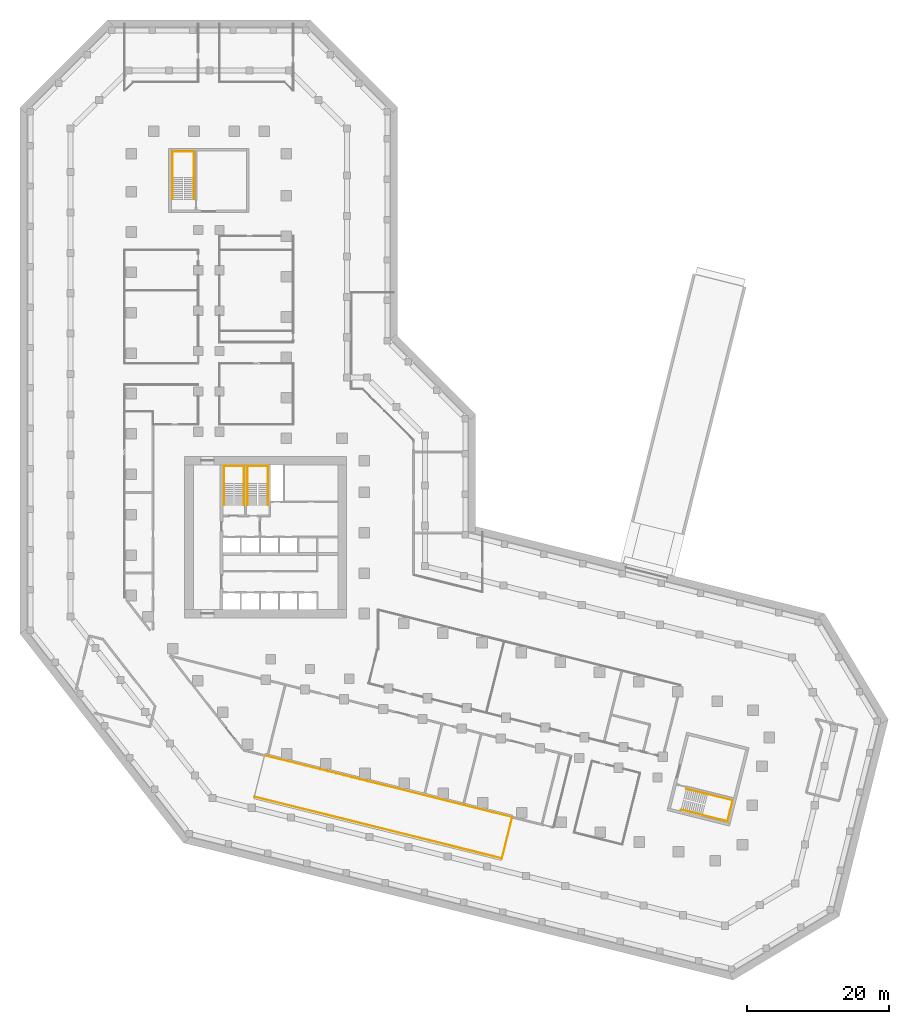
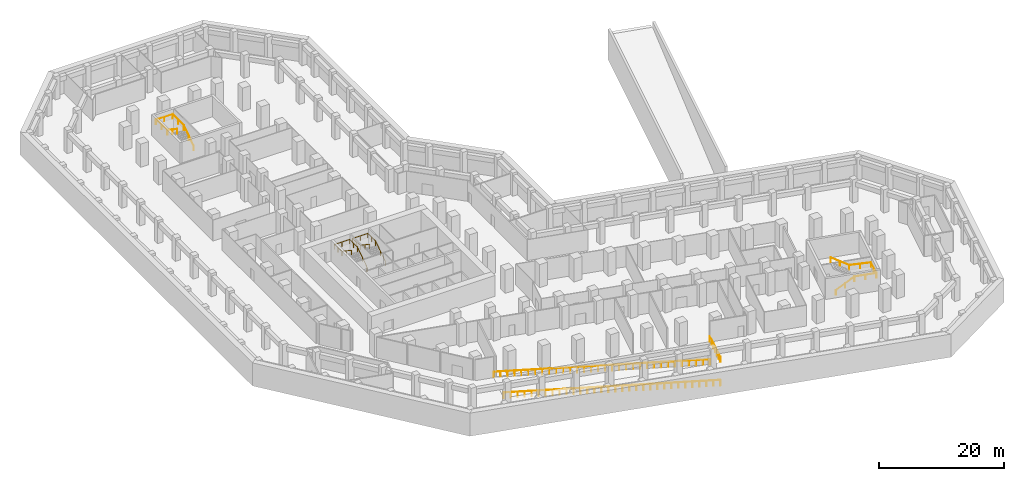
# One storey, part 14 of 14: 7 railings.
"""IFC4 building model written with IfcOpenShell, lengths in metres."""

from ifc_helpers import new_model, si_unit, direction, frame, origin, origin_2d, place, context, subcontext, project, spatial, circle, extrude, material, type_object, element, save


model = new_model("IFC4")

# Units and contexts
model_context = context("Model", 3, precision=1e-05, world=origin(), true_north=direction((0.0, 1.0)))
body_context = subcontext(model_context, "Body", "Model", "MODEL_VIEW")
ifc_project = project(units=[si_unit("LENGTHUNIT", "METRE"), si_unit("AREAUNIT", "SQUARE_METRE"), si_unit("VOLUMEUNIT", "CUBIC_METRE"), si_unit("PLANEANGLEUNIT", "RADIAN"), si_unit("MASSUNIT", "GRAM", prefix="KILO")], contexts=[model_context])

# Site, building, storey
site_placement = place(None, origin())
site = spatial("IfcSite", under=ifc_project, at=site_placement, CompositionType="ELEMENT")
building_placement = place(site_placement, origin())
building = spatial("IfcBuilding", under=site, at=building_placement, Name="Meshkara Civic Tower", CompositionType="ELEMENT")
storey_placement = place(building_placement, frame((0.0, 0.0, -4.5)))
storey = spatial("IfcBuildingStorey", under=building, at=storey_placement, Name="B1", CompositionType="ELEMENT", Elevation=-4.5)

# Railings
ifc_material_1 = material(Name="Steel guard", Category="steel")
railing_type_1 = type_object("IfcRailingType", Name="Ramp guard 1100", PredefinedType="GUARDRAIL", material=ifc_material_1)
railing_1_placement = place(storey_placement, frame((19.284912109375, -5.323974609375, 0.0)))
element("IfcRailing", 1, at=railing_1_placement, inside=storey, type_object=railing_type_1, Name="Ramp guard", PredefinedType="GUARDRAIL", context=body_context, shape_type="SweptSolid", body=[
    extrude(circle(Radius=0.02392578125, at=origin_2d()), frame((0.0, 0.0, 1.076171875), z_axis=(0.962805300404, -0.240045224815, -0.124033235697), x_axis=(0.241913263535, 0.970297878451, 0.0)), (0.0, 0.0, 1.0), 36.280517578125),
    extrude(circle(Radius=0.02099609375, at=origin_2d()), origin(), (0.0, 0.0, 1.0), 1.052001953125),
    extrude(circle(Radius=0.02099609375, at=origin_2d()), frame((1.126708984375, -0.281005859375, -0.145263671875)), (0.0, 0.0, 1.0), 1.052001953125),
    extrude(circle(Radius=0.02099609375, at=origin_2d()), frame((2.253662109375, -0.561767578125, -0.290283203125)), (0.0, 0.0, 1.0), 1.052001953125),
    extrude(circle(Radius=0.02099609375, at=origin_2d()), frame((3.38037109375, -0.8427734375, -0.435546875)), (0.0, 0.0, 1.0), 1.052001953125),
    extrude(circle(Radius=0.02099609375, at=origin_2d()), frame((4.50732421875, -1.123779296875, -0.58056640625)), (0.0, 0.0, 1.0), 1.052001953125),
    extrude(circle(Radius=0.02099609375, at=origin_2d()), frame((5.634033203125, -1.40478515625, -0.725830078125)), (0.0, 0.0, 1.0), 1.052001953125),
    extrude(circle(Radius=0.02099609375, at=origin_2d()), frame((6.760986328125, -1.685546875, -0.870849609375)), (0.0, 0.0, 1.0), 1.052001953125),
    extrude(circle(Radius=0.02099609375, at=origin_2d()), frame((7.8876953125, -1.966552734375, -1.01611328125)), (0.0, 0.0, 1.0), 1.052001953125),
    extrude(circle(Radius=0.02099609375, at=origin_2d()), frame((9.014404296875, -2.24755859375, -1.161376953125)), (0.0, 0.0, 1.0), 1.052001953125),
    extrude(circle(Radius=0.02099609375, at=origin_2d()), frame((10.141357421875, -2.5283203125, -1.306396484375)), (0.0, 0.0, 1.0), 1.052001953125),
    extrude(circle(Radius=0.02099609375, at=origin_2d()), frame((11.26806640625, -2.809326171875, -1.45166015625)), (0.0, 0.0, 1.0), 1.052001953125),
    extrude(circle(Radius=0.02099609375, at=origin_2d()), frame((12.39501953125, -3.09033203125, -1.5966796875)), (0.0, 0.0, 1.0), 1.052001953125),
    extrude(circle(Radius=0.02099609375, at=origin_2d()), frame((13.521728515625, -3.371337890625, -1.741943359375)), (0.0, 0.0, 1.0), 1.052001953125),
    extrude(circle(Radius=0.02099609375, at=origin_2d()), frame((14.6484375, -3.652099609375, -1.88720703125)), (0.0, 0.0, 1.0), 1.052001953125),
    extrude(circle(Radius=0.02099609375, at=origin_2d()), frame((15.775390625, -3.93310546875, -2.0322265625)), (0.0, 0.0, 1.0), 1.052001953125),
    extrude(circle(Radius=0.02099609375, at=origin_2d()), frame((16.902099609375, -4.214111328125, -2.177490234375)), (0.0, 0.0, 1.0), 1.052001953125),
    extrude(circle(Radius=0.02099609375, at=origin_2d()), frame((18.029052734375, -4.494873046875, -2.322509765625)), (0.0, 0.0, 1.0), 1.052001953125),
    extrude(circle(Radius=0.02099609375, at=origin_2d()), frame((19.15576171875, -4.77587890625, -2.4677734375)), (0.0, 0.0, 1.0), 1.052001953125),
    extrude(circle(Radius=0.02099609375, at=origin_2d()), frame((20.28271484375, -5.056884765625, -2.61279296875)), (0.0, 0.0, 1.0), 1.052001953125),
    extrude(circle(Radius=0.02099609375, at=origin_2d()), frame((21.409423828125, -5.337646484375, -2.758056640625)), (0.0, 0.0, 1.0), 1.052001953125),
    extrude(circle(Radius=0.02099609375, at=origin_2d()), frame((22.5361328125, -5.61865234375, -2.9033203125)), (0.0, 0.0, 1.0), 1.052001953125),
    extrude(circle(Radius=0.02099609375, at=origin_2d()), frame((23.6630859375, -5.899658203125, -3.04833984375)), (0.0, 0.0, 1.0), 1.052001953125),
    extrude(circle(Radius=0.02099609375, at=origin_2d()), frame((24.789794921875, -6.1806640625, -3.193603515625)), (0.0, 0.0, 1.0), 1.052001953125),
    extrude(circle(Radius=0.02099609375, at=origin_2d()), frame((25.916748046875, -6.46142578125, -3.338623046875)), (0.0, 0.0, 1.0), 1.052001953125),
    extrude(circle(Radius=0.02099609375, at=origin_2d()), frame((27.04345703125, -6.742431640625, -3.48388671875)), (0.0, 0.0, 1.0), 1.052001953125),
    extrude(circle(Radius=0.02099609375, at=origin_2d()), frame((28.170166015625, -7.0234375, -3.629150390625)), (0.0, 0.0, 1.0), 1.052001953125),
    extrude(circle(Radius=0.02099609375, at=origin_2d()), frame((29.297119140625, -7.30419921875, -3.774169921875)), (0.0, 0.0, 1.0), 1.052001953125),
    extrude(circle(Radius=0.02099609375, at=origin_2d()), frame((30.423828125, -7.585205078125, -3.91943359375)), (0.0, 0.0, 1.0), 1.052001953125),
    extrude(circle(Radius=0.02099609375, at=origin_2d()), frame((31.55078125, -7.8662109375, -4.064453125)), (0.0, 0.0, 1.0), 1.052001953125),
    extrude(circle(Radius=0.02099609375, at=origin_2d()), frame((32.677490234375, -8.147216796875, -4.209716796875)), (0.0, 0.0, 1.0), 1.052001953125),
    extrude(circle(Radius=0.02099609375, at=origin_2d()), frame((33.804443359375, -8.427978515625, -4.354736328125)), (0.0, 0.0, 1.0), 1.052001953125),
    extrude(circle(Radius=0.02099609375, at=origin_2d()), frame((34.93115234375, -8.708984375, -4.5)), (0.0, 0.0, 1.0), 1.052001953125),
])
railing_2_placement = place(storey_placement, frame((17.8330078125, -11.14501953125, 0.0)))
element("IfcRailing", 2, at=railing_2_placement, inside=storey, type_object=railing_type_1, Name="Ramp guard", PredefinedType="GUARDRAIL", context=body_context, shape_type="SweptSolid", body=[
    extrude(circle(Radius=0.02392578125, at=origin_2d()), frame((0.0, 0.0, 1.076171875), z_axis=(0.962798587803, -0.240072145897, -0.12403323784), x_axis=(0.241940394183, 0.970291113874, 0.0)), (0.0, 0.0, 1.0), 36.280517578125),
    extrude(circle(Radius=0.02099609375, at=origin_2d()), origin(), (0.0, 0.0, 1.0), 1.052001953125),
    extrude(circle(Radius=0.02099609375, at=origin_2d()), frame((1.126708984375, -0.281005859375, -0.145263671875)), (0.0, 0.0, 1.0), 1.052001953125),
    extrude(circle(Radius=0.02099609375, at=origin_2d()), frame((2.253662109375, -0.56201171875, -0.290283203125)), (0.0, 0.0, 1.0), 1.052001953125),
    extrude(circle(Radius=0.02099609375, at=origin_2d()), frame((3.38037109375, -0.843017578125, -0.435546875)), (0.0, 0.0, 1.0), 1.052001953125),
    extrude(circle(Radius=0.02099609375, at=origin_2d()), frame((4.50732421875, -1.123779296875, -0.58056640625)), (0.0, 0.0, 1.0), 1.052001953125),
    extrude(circle(Radius=0.02099609375, at=origin_2d()), frame((5.634033203125, -1.40478515625, -0.725830078125)), (0.0, 0.0, 1.0), 1.052001953125),
    extrude(circle(Radius=0.02099609375, at=origin_2d()), frame((6.7607421875, -1.685791015625, -0.870849609375)), (0.0, 0.0, 1.0), 1.052001953125),
    extrude(circle(Radius=0.02099609375, at=origin_2d()), frame((7.8876953125, -1.966796875, -1.01611328125)), (0.0, 0.0, 1.0), 1.052001953125),
    extrude(circle(Radius=0.02099609375, at=origin_2d()), frame((9.014404296875, -2.247802734375, -1.161376953125)), (0.0, 0.0, 1.0), 1.052001953125),
    extrude(circle(Radius=0.02099609375, at=origin_2d()), frame((10.14111328125, -2.52880859375, -1.306396484375)), (0.0, 0.0, 1.0), 1.052001953125),
    extrude(circle(Radius=0.02099609375, at=origin_2d()), frame((11.26806640625, -2.8095703125, -1.45166015625)), (0.0, 0.0, 1.0), 1.052001953125),
    extrude(circle(Radius=0.02099609375, at=origin_2d()), frame((12.394775390625, -3.090576171875, -1.5966796875)), (0.0, 0.0, 1.0), 1.052001953125),
    extrude(circle(Radius=0.02099609375, at=origin_2d()), frame((13.521728515625, -3.37158203125, -1.741943359375)), (0.0, 0.0, 1.0), 1.052001953125),
    extrude(circle(Radius=0.02099609375, at=origin_2d()), frame((14.6484375, -3.652587890625, -1.88720703125)), (0.0, 0.0, 1.0), 1.052001953125),
    extrude(circle(Radius=0.02099609375, at=origin_2d()), frame((15.775146484375, -3.93359375, -2.0322265625)), (0.0, 0.0, 1.0), 1.052001953125),
    extrude(circle(Radius=0.02099609375, at=origin_2d()), frame((16.902099609375, -4.214599609375, -2.177490234375)), (0.0, 0.0, 1.0), 1.052001953125),
    extrude(circle(Radius=0.02099609375, at=origin_2d()), frame((18.02880859375, -4.495361328125, -2.322509765625)), (0.0, 0.0, 1.0), 1.052001953125),
    extrude(circle(Radius=0.02099609375, at=origin_2d()), frame((19.15576171875, -4.7763671875, -2.4677734375)), (0.0, 0.0, 1.0), 1.052001953125),
    extrude(circle(Radius=0.02099609375, at=origin_2d()), frame((20.282470703125, -5.057373046875, -2.61279296875)), (0.0, 0.0, 1.0), 1.052001953125),
    extrude(circle(Radius=0.02099609375, at=origin_2d()), frame((21.4091796875, -5.33837890625, -2.758056640625)), (0.0, 0.0, 1.0), 1.052001953125),
    extrude(circle(Radius=0.02099609375, at=origin_2d()), frame((22.5361328125, -5.619384765625, -2.9033203125)), (0.0, 0.0, 1.0), 1.052001953125),
    extrude(circle(Radius=0.02099609375, at=origin_2d()), frame((23.662841796875, -5.900390625, -3.04833984375)), (0.0, 0.0, 1.0), 1.052001953125),
    extrude(circle(Radius=0.02099609375, at=origin_2d()), frame((24.789794921875, -6.18115234375, -3.193603515625)), (0.0, 0.0, 1.0), 1.052001953125),
    extrude(circle(Radius=0.02099609375, at=origin_2d()), frame((25.91650390625, -6.462158203125, -3.338623046875)), (0.0, 0.0, 1.0), 1.052001953125),
    extrude(circle(Radius=0.02099609375, at=origin_2d()), frame((27.043212890625, -6.7431640625, -3.48388671875)), (0.0, 0.0, 1.0), 1.052001953125),
    extrude(circle(Radius=0.02099609375, at=origin_2d()), frame((28.170166015625, -7.024169921875, -3.629150390625)), (0.0, 0.0, 1.0), 1.052001953125),
    extrude(circle(Radius=0.02099609375, at=origin_2d()), frame((29.296875, -7.30517578125, -3.774169921875)), (0.0, 0.0, 1.0), 1.052001953125),
    extrude(circle(Radius=0.02099609375, at=origin_2d()), frame((30.423583984375, -7.586181640625, -3.91943359375)), (0.0, 0.0, 1.0), 1.052001953125),
    extrude(circle(Radius=0.02099609375, at=origin_2d()), frame((31.550537109375, -7.866943359375, -4.064453125)), (0.0, 0.0, 1.0), 1.052001953125),
    extrude(circle(Radius=0.02099609375, at=origin_2d()), frame((32.67724609375, -8.14794921875, -4.209716796875)), (0.0, 0.0, 1.0), 1.052001953125),
    extrude(circle(Radius=0.02099609375, at=origin_2d()), frame((33.80419921875, -8.428955078125, -4.354736328125)), (0.0, 0.0, 1.0), 1.052001953125),
    extrude(circle(Radius=0.02099609375, at=origin_2d()), frame((34.930908203125, -8.7099609375, -4.5)), (0.0, 0.0, 1.0), 1.052001953125),
])
railing_3_placement = place(storey_placement, frame((54.216064453125, -14.032958984375, 0.0)))
element("IfcRailing", 3, at=railing_3_placement, inside=storey, type_object=railing_type_1, Name="Ramp end guard", PredefinedType="GUARDRAIL", context=body_context, shape_type="SweptSolid", body=[
    extrude(circle(Radius=0.02392578125, at=origin_2d()), frame((0.0, 0.0, 1.076171875), z_axis=(-0.242009045641, -0.970273993173, 0.0), x_axis=(0.970273993173, -0.242009045641, 0.0)), (0.0, 0.0, 1.0), 6.00048828125),
    extrude(circle(Radius=0.02099609375, at=origin_2d()), origin(), (0.0, 0.0, 1.0), 1.052001953125),
    extrude(circle(Radius=0.02099609375, at=origin_2d()), frame((-0.241943359375, -0.97021484375, 0.0)), (0.0, 0.0, 1.0), 1.052001953125),
    extrude(circle(Radius=0.02099609375, at=origin_2d()), frame((-0.484130859375, -1.940673828125, 0.0)), (0.0, 0.0, 1.0), 1.052001953125),
    extrude(circle(Radius=0.02099609375, at=origin_2d()), frame((-0.72607421875, -2.9111328125, 0.0)), (0.0, 0.0, 1.0), 1.052001953125),
    extrude(circle(Radius=0.02099609375, at=origin_2d()), frame((-0.968017578125, -3.88134765625, 0.0)), (0.0, 0.0, 1.0), 1.052001953125),
    extrude(circle(Radius=0.02099609375, at=origin_2d()), frame((-1.210205078125, -4.8515625, 0.0)), (0.0, 0.0, 1.0), 1.052001953125),
    extrude(circle(Radius=0.02099609375, at=origin_2d()), frame((-1.4521484375, -5.822021484375, 0.0)), (0.0, 0.0, 1.0), 1.052001953125),
])
ifc_material_2 = material(Name="Steel handrail", Category="steel")
railing_type_2 = type_object("IfcRailingType", Name="Stair handrail 900", PredefinedType="HANDRAIL", material=ifc_material_2)
railing_4_placement = place(storey_placement, frame((16.375, 30.0, 0.1875)))
element("IfcRailing", 4, at=railing_4_placement, inside=storey, type_object=railing_type_2, Name="B1 ST1 stair handrail 1", PredefinedType="HANDRAIL", context=body_context, shape_type="SweptSolid", body=[
    extrude(circle(Radius=0.02392578125, at=origin_2d()), frame((0.0, 0.0, 0.8759765625), z_axis=(0.0, 0.830913701846, 0.55640131208), x_axis=(-1.0, 0.0, 0.0)), (0.0, 0.0, 1.0), 3.706787109375),
    extrude(circle(Radius=0.02392578125, at=origin_2d()), frame((0.0, 3.080078125, 2.9384765625), z_axis=(0.0, 1.0, 0.0), x_axis=(-1.0, 0.0, 0.0)), (0.0, 0.0, 1.0), 2.469970703125),
    extrude(circle(Radius=0.02392578125, at=origin_2d()), frame((0.0, 5.550048828125, 2.9384765625), z_axis=(-1.0, 0.0, 0.0), x_axis=(0.0, -1.0, 0.0)), (0.0, 0.0, 1.0), 2.85009765625),
    extrude(circle(Radius=0.02392578125, at=origin_2d()), frame((-2.85009765625, 5.550048828125, 2.9384765625), z_axis=(0.0, -0.997131090274, 0.075694047379), x_axis=(1.0, 0.0, 0.0)), (0.0, 0.0, 1.0), 2.47705078125),
    extrude(circle(Radius=0.02392578125, at=origin_2d()), frame((-2.85009765625, 3.080078125, 3.1259765625), z_axis=(0.0, -0.830913701846, 0.55640131208), x_axis=(1.0, 0.0, 0.0)), (0.0, 0.0, 1.0), 3.706787109375),
    extrude(circle(Radius=0.02099609375, at=origin_2d()), origin(), (0.0, 0.0, 1.0), 0.851806640625),
    extrude(circle(Radius=0.02099609375, at=origin_2d()), frame((0.0, 1.5400390625, 1.03125)), (0.0, 0.0, 1.0), 0.851806640625),
    extrude(circle(Radius=0.02099609375, at=origin_2d()), frame((0.0, 3.080078125, 2.0625)), (0.0, 0.0, 1.0), 0.851806640625),
    extrude(circle(Radius=0.02099609375, at=origin_2d()), frame((0.0, 4.31494140625, 2.0625)), (0.0, 0.0, 1.0), 0.851806640625),
    extrude(circle(Radius=0.02099609375, at=origin_2d()), frame((0.0, 5.550048828125, 2.0625)), (0.0, 0.0, 1.0), 0.851806640625),
    extrude(circle(Radius=0.02099609375, at=origin_2d()), frame((-1.425048828125, 5.550048828125, 2.0625)), (0.0, 0.0, 1.0), 0.851806640625),
    extrude(circle(Radius=0.02099609375, at=origin_2d()), frame((-2.85009765625, 5.550048828125, 2.0625)), (0.0, 0.0, 1.0), 0.851806640625),
    extrude(circle(Radius=0.02099609375, at=origin_2d()), frame((-2.85009765625, 4.31494140625, 2.15625)), (0.0, 0.0, 1.0), 0.851806640625),
    extrude(circle(Radius=0.02099609375, at=origin_2d()), frame((-2.85009765625, 3.080078125, 2.25)), (0.0, 0.0, 1.0), 0.851806640625),
    extrude(circle(Radius=0.02099609375, at=origin_2d()), frame((-2.85009765625, 1.5400390625, 3.28125)), (0.0, 0.0, 1.0), 0.851806640625),
    extrude(circle(Radius=0.02099609375, at=origin_2d()), frame((-2.85009765625, 0.0, 4.3125)), (0.0, 0.0, 1.0), 0.851806640625),
])
railing_5_placement = place(storey_placement, frame((19.72509765625, 30.0, 0.1875)))
element("IfcRailing", 5, at=railing_5_placement, inside=storey, type_object=railing_type_2, Name="B1 ST2 stair handrail 1", PredefinedType="HANDRAIL", context=body_context, shape_type="SweptSolid", body=[
    extrude(circle(Radius=0.02392578125, at=origin_2d()), frame((0.0, 0.0, 0.8759765625), z_axis=(0.0, 0.830913701846, 0.55640131208), x_axis=(-1.0, 0.0, 0.0)), (0.0, 0.0, 1.0), 3.706787109375),
    extrude(circle(Radius=0.02392578125, at=origin_2d()), frame((0.0, 3.080078125, 2.9384765625), z_axis=(0.0, 1.0, 0.0), x_axis=(-1.0, 0.0, 0.0)), (0.0, 0.0, 1.0), 2.469970703125),
    extrude(circle(Radius=0.02392578125, at=origin_2d()), frame((0.0, 5.550048828125, 2.9384765625), z_axis=(-1.0, 0.0, 0.0), x_axis=(0.0, -1.0, 0.0)), (0.0, 0.0, 1.0), 2.85009765625),
    extrude(circle(Radius=0.02392578125, at=origin_2d()), frame((-2.85009765625, 5.550048828125, 2.9384765625), z_axis=(0.0, -0.997131090274, 0.075694047379), x_axis=(1.0, 0.0, 0.0)), (0.0, 0.0, 1.0), 2.47705078125),
    extrude(circle(Radius=0.02392578125, at=origin_2d()), frame((-2.85009765625, 3.080078125, 3.1259765625), z_axis=(0.0, -0.830913701846, 0.55640131208), x_axis=(1.0, 0.0, 0.0)), (0.0, 0.0, 1.0), 3.706787109375),
    extrude(circle(Radius=0.02099609375, at=origin_2d()), origin(), (0.0, 0.0, 1.0), 0.851806640625),
    extrude(circle(Radius=0.02099609375, at=origin_2d()), frame((0.0, 1.5400390625, 1.03125)), (0.0, 0.0, 1.0), 0.851806640625),
    extrude(circle(Radius=0.02099609375, at=origin_2d()), frame((0.0, 3.080078125, 2.0625)), (0.0, 0.0, 1.0), 0.851806640625),
    extrude(circle(Radius=0.02099609375, at=origin_2d()), frame((0.0, 4.31494140625, 2.0625)), (0.0, 0.0, 1.0), 0.851806640625),
    extrude(circle(Radius=0.02099609375, at=origin_2d()), frame((0.0, 5.550048828125, 2.0625)), (0.0, 0.0, 1.0), 0.851806640625),
    extrude(circle(Radius=0.02099609375, at=origin_2d()), frame((-1.425048828125, 5.550048828125, 2.0625)), (0.0, 0.0, 1.0), 0.851806640625),
    extrude(circle(Radius=0.02099609375, at=origin_2d()), frame((-2.85009765625, 5.550048828125, 2.0625)), (0.0, 0.0, 1.0), 0.851806640625),
    extrude(circle(Radius=0.02099609375, at=origin_2d()), frame((-2.85009765625, 4.31494140625, 2.15625)), (0.0, 0.0, 1.0), 0.851806640625),
    extrude(circle(Radius=0.02099609375, at=origin_2d()), frame((-2.85009765625, 3.080078125, 2.25)), (0.0, 0.0, 1.0), 0.851806640625),
    extrude(circle(Radius=0.02099609375, at=origin_2d()), frame((-2.85009765625, 1.5400390625, 3.28125)), (0.0, 0.0, 1.0), 0.851806640625),
    extrude(circle(Radius=0.02099609375, at=origin_2d()), frame((-2.85009765625, 0.0, 4.3125)), (0.0, 0.0, 1.0), 0.851806640625),
])
railing_6_placement = place(storey_placement, frame((9.324951171875, 73.169921875, 0.1875)))
element("IfcRailing", 6, at=railing_6_placement, inside=storey, type_object=railing_type_2, Name="B1 ESA1 stair handrail 1", PredefinedType="HANDRAIL", context=body_context, shape_type="SweptSolid", body=[
    extrude(circle(Radius=0.02392578125, at=origin_2d()), frame((0.0, 0.0, 0.8759765625), z_axis=(0.0, 0.830913701846, 0.55640131208), x_axis=(-1.0, 0.0, 0.0)), (0.0, 0.0, 1.0), 3.706787109375),
    extrude(circle(Radius=0.02392578125, at=origin_2d()), frame((0.0, 3.080078125, 2.9384765625), z_axis=(0.0, 1.0, 0.0), x_axis=(-1.0, 0.0, 0.0)), (0.0, 0.0, 1.0), 3.669921875),
    extrude(circle(Radius=0.02392578125, at=origin_2d()), frame((0.0, 6.75, 2.9384765625), z_axis=(-1.0, 0.0, 0.0), x_axis=(0.0, -1.0, 0.0)), (0.0, 0.0, 1.0), 3.050048828125),
    extrude(circle(Radius=0.02392578125, at=origin_2d()), frame((-3.050048828125, 6.75, 2.9384765625), z_axis=(0.0, -0.998697404122, 0.051024454921), x_axis=(1.0, 0.0, 0.0)), (0.0, 0.0, 1.0), 3.6748046875),
    extrude(circle(Radius=0.02392578125, at=origin_2d()), frame((-3.050048828125, 3.080078125, 3.1259765625), z_axis=(0.0, -0.830913701846, 0.55640131208), x_axis=(1.0, 0.0, 0.0)), (0.0, 0.0, 1.0), 3.706787109375),
    extrude(circle(Radius=0.02099609375, at=origin_2d()), origin(), (0.0, 0.0, 1.0), 0.851806640625),
    extrude(circle(Radius=0.02099609375, at=origin_2d()), frame((0.0, 1.5400390625, 1.03125)), (0.0, 0.0, 1.0), 0.851806640625),
    extrude(circle(Radius=0.02099609375, at=origin_2d()), frame((0.0, 3.080078125, 2.0625)), (0.0, 0.0, 1.0), 0.851806640625),
    extrude(circle(Radius=0.02099609375, at=origin_2d()), frame((0.0, 4.9150390625, 2.0625)), (0.0, 0.0, 1.0), 0.851806640625),
    extrude(circle(Radius=0.02099609375, at=origin_2d()), frame((0.0, 6.75, 2.0625)), (0.0, 0.0, 1.0), 0.851806640625),
    extrude(circle(Radius=0.02099609375, at=origin_2d()), frame((-1.52490234375, 6.75, 2.0625)), (0.0, 0.0, 1.0), 0.851806640625),
    extrude(circle(Radius=0.02099609375, at=origin_2d()), frame((-3.050048828125, 6.75, 2.0625)), (0.0, 0.0, 1.0), 0.851806640625),
    extrude(circle(Radius=0.02099609375, at=origin_2d()), frame((-3.050048828125, 4.9150390625, 2.15625)), (0.0, 0.0, 1.0), 0.851806640625),
    extrude(circle(Radius=0.02099609375, at=origin_2d()), frame((-3.050048828125, 3.080078125, 2.25)), (0.0, 0.0, 1.0), 0.851806640625),
    extrude(circle(Radius=0.02099609375, at=origin_2d()), frame((-3.050048828125, 1.5400390625, 3.28125)), (0.0, 0.0, 1.0), 0.851806640625),
    extrude(circle(Radius=0.02099609375, at=origin_2d()), frame((-3.050048828125, 0.0, 4.3125)), (0.0, 0.0, 1.0), 0.851806640625),
])
railing_7_placement = place(storey_placement, frame((78.045166015625, -12.99169921875, 0.1875)))
element("IfcRailing", 7, at=railing_7_placement, inside=storey, type_object=railing_type_2, Name="B1 ESB1 stair handrail 1", PredefinedType="HANDRAIL", context=body_context, shape_type="SweptSolid", body=[
    extrude(circle(Radius=0.02392578125, at=origin_2d()), frame((0.0, 0.0, 0.8759765625), z_axis=(0.806205801396, -0.201139818435, 0.556394625455), x_axis=(0.242069343812, 0.970258951408, 0.0)), (0.0, 0.0, 1.0), 3.706787109375),
    extrude(circle(Radius=0.02392578125, at=origin_2d()), frame((2.988525390625, -0.74560546875, 2.9384765625), z_axis=(0.970255876456, -0.242081668456, 0.0), x_axis=(0.242081668456, 0.970255876456, 0.0)), (0.0, 0.0, 1.0), 3.669921875),
    extrude(circle(Radius=0.02392578125, at=origin_2d()), frame((6.54931640625, -1.634033203125, 2.9384765625), z_axis=(0.242064726708, 0.970260103315, 0.0), x_axis=(-0.970260103315, 0.242064726708, 0.0)), (0.0, 0.0, 1.0), 3.050048828125),
    extrude(circle(Radius=0.02392578125, at=origin_2d()), frame((7.28759765625, 1.3251953125, 2.9384765625), z_axis=(-0.968992044812, 0.241766338777, 0.051024058308), x_axis=(-0.242081668456, -0.970255876456, 0.0)), (0.0, 0.0, 1.0), 3.6748046875),
    extrude(circle(Radius=0.02392578125, at=origin_2d()), frame((3.726806640625, 2.213623046875, 3.1259765625), z_axis=(-0.806205801396, 0.201139818435, 0.556394625455), x_axis=(-0.242069343812, -0.970258951408, 0.0)), (0.0, 0.0, 1.0), 3.706787109375),
    extrude(circle(Radius=0.02099609375, at=origin_2d()), origin(), (0.0, 0.0, 1.0), 0.851806640625),
    extrude(circle(Radius=0.02099609375, at=origin_2d()), frame((1.494140625, -0.372802734375, 1.03125)), (0.0, 0.0, 1.0), 0.851806640625),
    extrude(circle(Radius=0.02099609375, at=origin_2d()), frame((2.988525390625, -0.74560546875, 2.0625)), (0.0, 0.0, 1.0), 0.851806640625),
    extrude(circle(Radius=0.02099609375, at=origin_2d()), frame((4.76904296875, -1.18994140625, 2.0625)), (0.0, 0.0, 1.0), 0.851806640625),
    extrude(circle(Radius=0.02099609375, at=origin_2d()), frame((6.54931640625, -1.634033203125, 2.0625)), (0.0, 0.0, 1.0), 0.851806640625),
    extrude(circle(Radius=0.02099609375, at=origin_2d()), frame((6.91845703125, -0.154296875, 2.0625)), (0.0, 0.0, 1.0), 0.851806640625),
    extrude(circle(Radius=0.02099609375, at=origin_2d()), frame((7.28759765625, 1.3251953125, 2.0625)), (0.0, 0.0, 1.0), 0.851806640625),
    extrude(circle(Radius=0.02099609375, at=origin_2d()), frame((5.50732421875, 1.76953125, 2.15625)), (0.0, 0.0, 1.0), 0.851806640625),
    extrude(circle(Radius=0.02099609375, at=origin_2d()), frame((3.726806640625, 2.213623046875, 2.25)), (0.0, 0.0, 1.0), 0.851806640625),
    extrude(circle(Radius=0.02099609375, at=origin_2d()), frame((2.232421875, 2.58642578125, 3.28125)), (0.0, 0.0, 1.0), 0.851806640625),
    extrude(circle(Radius=0.02099609375, at=origin_2d()), frame((0.73828125, 2.959228515625, 4.3125)), (0.0, 0.0, 1.0), 0.851806640625),
])

save(model, "model.ifc")
